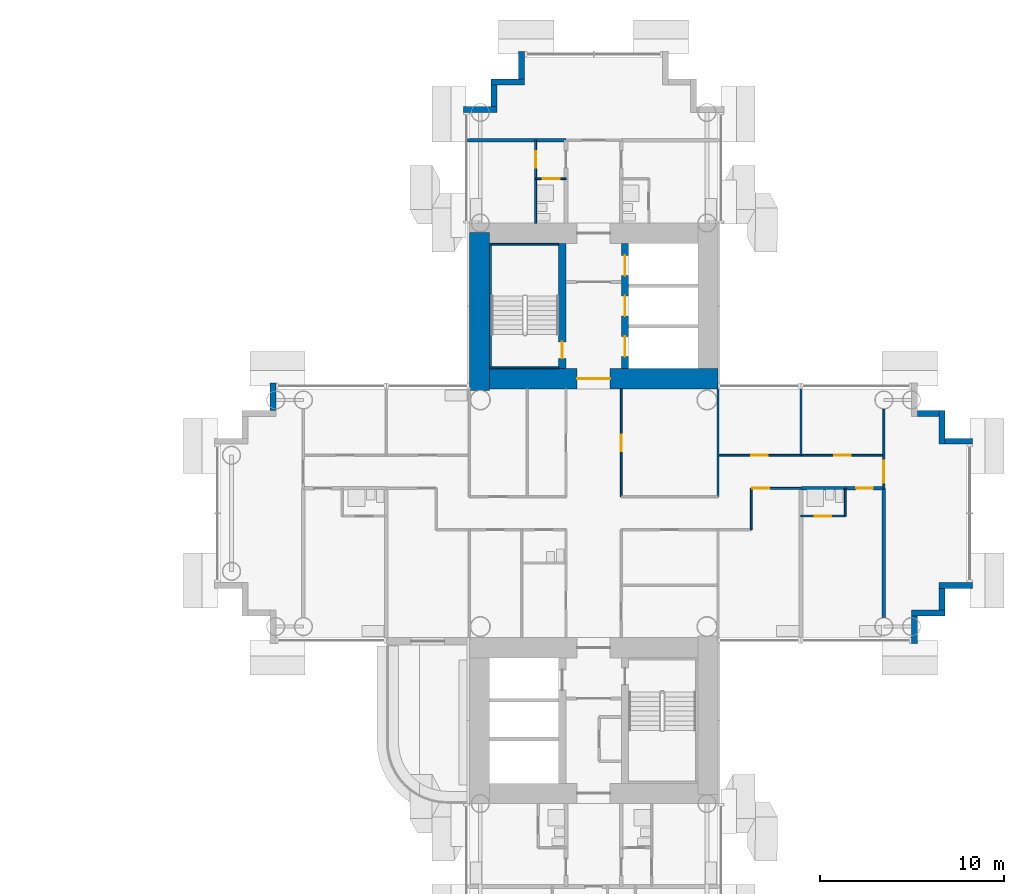
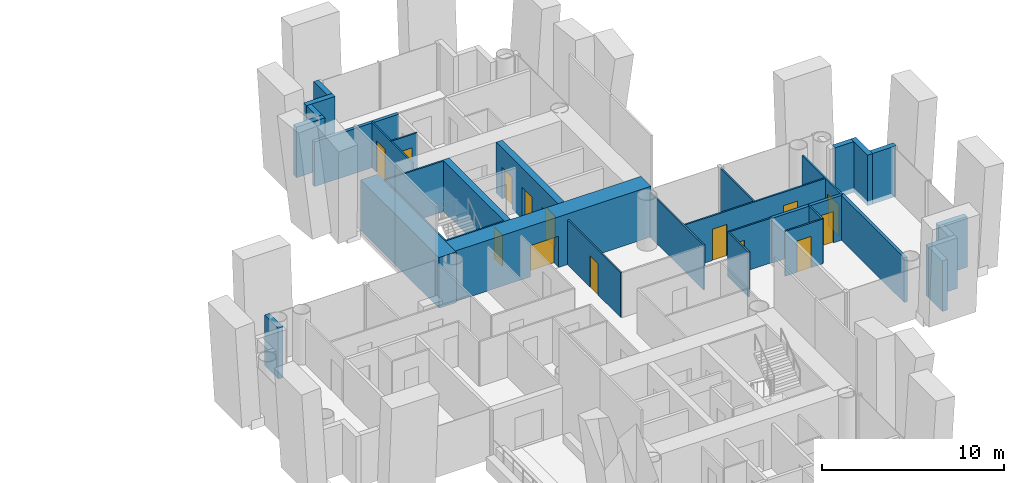
# One storey, part 15 of 23: 33 walls, 14 doors, 14 openings.
"""IFC4 building model written with IfcOpenShell, lengths in metres."""

from ifc_helpers import new_model, si_unit, direction, frame, frame_2d, origin, place, context, subcontext, project, spatial, rectangle, extrude, material, layer, layer_set, type_object, element, fill, save


model = new_model("IFC4")

# Units and contexts
model_context = context("Model", 3, precision=1e-05, world=origin(), true_north=direction((0.0, 1.0)))
body_context = subcontext(model_context, "Body", "Model", "MODEL_VIEW")
ifc_project = project(units=[si_unit("LENGTHUNIT", "METRE"), si_unit("AREAUNIT", "SQUARE_METRE"), si_unit("VOLUMEUNIT", "CUBIC_METRE"), si_unit("PLANEANGLEUNIT", "RADIAN"), si_unit("MASSUNIT", "GRAM", prefix="KILO")], contexts=[model_context])

# Site, building, storey
site_placement = place(None, origin())
site = spatial("IfcSite", under=ifc_project, at=site_placement, CompositionType="ELEMENT")
building_placement = place(site_placement, origin())
building = spatial("IfcBuilding", under=site, at=building_placement, Name="Ipe Terrace Towers", CompositionType="ELEMENT")
storey_placement = place(building_placement, frame((0.0, 0.0, 51.699951171875)))
storey = spatial("IfcBuildingStorey", under=building, at=storey_placement, Name="L13", CompositionType="ELEMENT", Elevation=51.699951171875)

# Walls
ifc_material_1 = material(Name="Concrete C40/50 with buff precast cladding", Category="concrete")
ifc_layer_1 = layer(ifc_material_1, 0.320068359375)
ifc_layer_set_1 = layer_set([ifc_layer_1], Name="BUFF CLADDING WALL 320")
wall_type_1 = type_object("IfcWallType", Name="BUFF CLADDING WALL 320", PredefinedType="STANDARD", material=ifc_layer_set_1)
wall_1_placement = place(storey_placement, frame((53.409912109375, -7.070068359375, -0.300048828125), z_axis=(0.0, 0.0, 1.0), x_axis=(0.0, 1.0, 0.0)))
element("IfcWall", 1, at=wall_1_placement, inside=storey, type_object=wall_type_1, Name="T2-W-L13-08a wall", PredefinedType="STANDARD", context=body_context, shape_type="SweptSolid", body=[
    extrude(rectangle(XDim=1.5, YDim=0.320068359375, at=frame_2d((0.75, 0.0))), origin(), (0.0, 0.0, 1.0), 3.400146484375),
])
wall_2_placement = place(storey_placement, frame((53.25, -5.409912109375, -0.300048828125), z_axis=(0.0, 0.0, 1.0), x_axis=(1.0, 0.0, 0.0)))
element("IfcWall", 2, at=wall_2_placement, inside=storey, type_object=wall_type_1, Name="T2-W-L13-09a wall", PredefinedType="STANDARD", context=body_context, shape_type="SweptSolid", body=[
    extrude(rectangle(XDim=1.820068359375, YDim=0.320068359375, at=frame_2d((0.91015625, 0.0))), origin(), (0.0, 0.0, 1.0), 3.400146484375),
])
wall_3_placement = place(storey_placement, frame((54.909912109375, -5.25, -0.300048828125), z_axis=(0.0, 0.0, 1.0), x_axis=(0.0, 1.0, 0.0)))
element("IfcWall", 3, at=wall_3_placement, inside=storey, type_object=wall_type_1, Name="T2-W-L13-10a wall", PredefinedType="STANDARD", context=body_context, shape_type="SweptSolid", body=[
    extrude(rectangle(XDim=1.179931640625, YDim=0.320068359375, at=frame_2d((0.58984375, 0.0))), origin(), (0.0, 0.0, 1.0), 3.400146484375),
])
wall_4_placement = place(storey_placement, frame((54.75, -3.909912109375, -0.300048828125), z_axis=(0.0, 0.0, 1.0), x_axis=(1.0, 0.0, 0.0)))
element("IfcWall", 4, at=wall_4_placement, inside=storey, type_object=wall_type_1, Name="T2-W-L13-11a wall", PredefinedType="STANDARD", context=body_context, shape_type="SweptSolid", body=[
    extrude(rectangle(XDim=1.820068359375, YDim=0.320068359375, at=frame_2d((0.91015625, 0.0))), origin(), (0.0, 0.0, 1.0), 3.400146484375),
])
wall_5_placement = place(storey_placement, frame((56.570068359375, 3.909912109375, -0.300048828125), z_axis=(0.0, 0.0, 1.0), x_axis=(-1.0, 0.0, 0.0)))
element("IfcWall", 5, at=wall_5_placement, inside=storey, type_object=wall_type_1, Name="T2-W-L13-13a wall", PredefinedType="STANDARD", context=body_context, shape_type="SweptSolid", body=[
    extrude(rectangle(XDim=1.5, YDim=0.320068359375, at=frame_2d((0.75, 0.0))), origin(), (0.0, 0.0, 1.0), 3.400146484375),
])
wall_6_placement = place(storey_placement, frame((54.909912109375, 3.75, -0.300048828125), z_axis=(0.0, 0.0, 1.0), x_axis=(0.0, 1.0, 0.0)))
element("IfcWall", 6, at=wall_6_placement, inside=storey, type_object=wall_type_1, Name="T2-W-L13-14a wall", PredefinedType="STANDARD", context=body_context, shape_type="SweptSolid", body=[
    extrude(rectangle(XDim=1.820068359375, YDim=0.320068359375, at=frame_2d((0.91015625, 0.0))), origin(), (0.0, 0.0, 1.0), 3.400146484375),
])
wall_7_placement = place(storey_placement, frame((54.75, 5.409912109375, -0.300048828125), z_axis=(0.0, 0.0, 1.0), x_axis=(-1.0, 0.0, 0.0)))
element("IfcWall", 7, at=wall_7_placement, inside=storey, type_object=wall_type_1, Name="T2-W-L13-15a wall", PredefinedType="STANDARD", context=body_context, shape_type="SweptSolid", body=[
    extrude(rectangle(XDim=1.179931640625, YDim=0.320068359375, at=frame_2d((0.58984375, 0.0))), origin(), (0.0, 0.0, 1.0), 3.400146484375),
])
wall_8_placement = place(storey_placement, frame((32.090087890625, 25.070068359375, -0.300048828125), z_axis=(0.0, 0.0, 1.0), x_axis=(0.0, -1.0, 0.0)))
element("IfcWall", 8, at=wall_8_placement, inside=storey, type_object=wall_type_1, Name="T2-W-L13-26a wall", PredefinedType="STANDARD", context=body_context, shape_type="SweptSolid", body=[
    extrude(rectangle(XDim=1.5, YDim=0.320068359375, at=frame_2d((0.75, 0.0))), origin(), (0.0, 0.0, 1.0), 3.400146484375),
])
wall_9_placement = place(storey_placement, frame((32.25, 23.409912109375, -0.300048828125), z_axis=(0.0, 0.0, 1.0), x_axis=(-1.0, 0.0, 0.0)))
element("IfcWall", 9, at=wall_9_placement, inside=storey, type_object=wall_type_1, Name="T2-W-L13-27a wall", PredefinedType="STANDARD", context=body_context, shape_type="SweptSolid", body=[
    extrude(rectangle(XDim=1.820068359375, YDim=0.320068359375, at=frame_2d((0.91015625, 0.0))), origin(), (0.0, 0.0, 1.0), 3.400146484375),
])
wall_10_placement = place(storey_placement, frame((30.590087890625, 23.25, -0.300048828125), z_axis=(0.0, 0.0, 1.0), x_axis=(0.0, -1.0, 0.0)))
element("IfcWall", 10, at=wall_10_placement, inside=storey, type_object=wall_type_1, Name="T2-W-L13-28a wall", PredefinedType="STANDARD", context=body_context, shape_type="SweptSolid", body=[
    extrude(rectangle(XDim=1.179931640625, YDim=0.320068359375, at=frame_2d((0.58984375, 0.0))), origin(), (0.0, 0.0, 1.0), 3.400146484375),
])
wall_11_placement = place(storey_placement, frame((30.75, 21.909912109375, -0.300048828125), z_axis=(0.0, 0.0, 1.0), x_axis=(-1.0, 0.0, 0.0)))
element("IfcWall", 11, at=wall_11_placement, inside=storey, type_object=wall_type_1, Name="T2-W-L13-29a wall", PredefinedType="STANDARD", context=body_context, shape_type="SweptSolid", body=[
    extrude(rectangle(XDim=1.820068359375, YDim=0.320068359375, at=frame_2d((0.91015625, 0.0))), origin(), (0.0, 0.0, 1.0), 3.400146484375),
])
wall_12_placement = place(storey_placement, frame((18.590087890625, 7.070068359375, -0.300048828125), z_axis=(0.0, 0.0, 1.0), x_axis=(0.0, -1.0, 0.0)))
element("IfcWall", 12, at=wall_12_placement, inside=storey, type_object=wall_type_1, Name="T2-W-L13-34a wall", PredefinedType="STANDARD", context=body_context, shape_type="SweptSolid", body=[
    extrude(rectangle(XDim=1.5, YDim=0.320068359375, at=frame_2d((0.75, 0.0))), origin(), (0.0, 0.0, 1.0), 3.400146484375),
])

# Wall, opening, door
ifc_material_2 = material(Name="Gypsum board partition", Category="plasterboard")
ifc_layer_2 = layer(ifc_material_2, 0.10009765625)
ifc_layer_set_2 = layer_set([ifc_layer_2], Name="Gypsum board partition 100 mm")
wall_type_2 = type_object("IfcWallType", Name="Gypsum board partition 100 mm", PredefinedType="PARTITIONING", material=ifc_layer_set_2)
wall_13_placement = place(storey_placement, frame((49.64990234375, -0.14990234375, 0.0), z_axis=(0.0, 0.0, 1.0), x_axis=(-1.0, 0.0, 0.0)))
wall_13 = element("IfcWall", 13, at=wall_13_placement, inside=storey, type_object=wall_type_2, Name="Gypsum board partition T2 L13 W09", PredefinedType="PARTITIONING", context=body_context, shape_type="SweptSolid", body=[
    extrude(rectangle(XDim=2.39990234375, YDim=0.10009765625, at=frame_2d((1.199951171875, 0.0))), origin(), (0.0, 0.0, 1.0), 3.0),
])
opening_1_placement = place(wall_13_placement, frame((0.75, 0.0, 0.0)))
opening_1 = element("IfcOpeningElement", 14, at=opening_1_placement, cuts=wall_13, Name="Opening T2-Z1C-19", PredefinedType="OPENING", context=body_context, shape_type="SweptSolid", body=[
    extrude(rectangle(XDim=0.89990234375, YDim=2.10009765625, at=frame_2d((0.449951171875, 1.050048828125))), frame((0.0, 0.06005859375, 0.0), z_axis=(0.0, -1.0, 0.0), x_axis=(1.0, 0.0, 0.0)), (0.0, 0.0, 1.0), 0.1201171875),
])
ifc_material_3 = material(Name="Timber door leaf", Category="wood")
door_type_1 = type_object("IfcDoorType", Name="Bathroom door 900 x 2100", OperationType="NOTDEFINED", PredefinedType="DOOR", material=ifc_material_3)
door_1_placement = place(opening_1_placement, origin())
door_1 = element("IfcDoor", 15, at=door_1_placement, inside=storey, type_object=door_type_1, Name="Bathroom door T2-Z1C-19", OperationType="SINGLE_SWING_RIGHT", OverallHeight=2.10009765625, OverallWidth=0.89990234375, PredefinedType="DOOR", context=body_context, shape_type="SweptSolid", body=[
    extrude(rectangle(XDim=0.89990234375, YDim=2.10009765625, at=frame_2d((0.449951171875, 1.050048828125))), frame((0.0, 0.02490234375, 0.0), z_axis=(0.0, -1.0, 0.0), x_axis=(1.0, 0.0, 0.0)), (0.0, 0.0, 1.0), 0.050048828125),
])
fill(opening_1, door_1)

wall_14_placement = place(storey_placement, frame((47.25, 1.35009765625, 0.0), z_axis=(0.0, 0.0, 1.0), x_axis=(-1.0, 0.0, 0.0)))
wall_14 = element("IfcWall", 16, at=wall_14_placement, inside=storey, type_object=wall_type_2, Name="Gypsum board partition T2 L13 W13", PredefinedType="PARTITIONING", context=body_context, shape_type="SweptSolid", body=[
    extrude(rectangle(XDim=2.699951171875, YDim=0.10009765625, at=frame_2d((1.35009765625, 0.0))), origin(), (0.0, 0.0, 1.0), 3.0),
])
opening_2_placement = place(wall_14_placement, frame((1.72998046875, 0.0, 0.0)))
opening_2 = element("IfcOpeningElement", 17, at=opening_2_placement, cuts=wall_14, Name="Opening T2-Z1C-17", PredefinedType="OPENING", context=body_context, shape_type="SweptSolid", body=[
    extrude(rectangle(XDim=0.89990234375, YDim=2.10009765625, at=frame_2d((0.449951171875, 1.050048828125))), frame((0.0, 0.06005859375, 0.0), z_axis=(0.0, -1.0, 0.0), x_axis=(1.0, 0.0, 0.0)), (0.0, 0.0, 1.0), 0.1201171875),
])
ifc_material_4 = material(Name="Timber door leaf", Category="wood")
door_type_2 = type_object("IfcDoorType", Name="Lounge door 900 x 2100", OperationType="NOTDEFINED", PredefinedType="DOOR", material=ifc_material_4)
door_2_placement = place(opening_2_placement, origin())
door_2 = element("IfcDoor", 18, at=door_2_placement, inside=storey, type_object=door_type_2, Name="Lounge door T2-Z1C-17", OperationType="SINGLE_SWING_LEFT", OverallHeight=2.10009765625, OverallWidth=0.89990234375, PredefinedType="DOOR", context=body_context, shape_type="SweptSolid", body=[
    extrude(rectangle(XDim=0.89990234375, YDim=2.10009765625, at=frame_2d((0.449951171875, 1.050048828125))), frame((0.0, 0.02490234375, 0.0), z_axis=(0.0, -1.0, 0.0), x_axis=(1.0, 0.0, 0.0)), (0.0, 0.0, 1.0), 0.050048828125),
])
fill(opening_2, door_2)

# Wall, openings, doors
wall_15_placement = place(storey_placement, frame((51.75, 3.14990234375, 0.0), z_axis=(0.0, 0.0, 1.0), x_axis=(-1.0, 0.0, 0.0)))
wall_15 = element("IfcWall", 19, at=wall_15_placement, inside=storey, type_object=wall_type_2, Name="Gypsum board partition T2 L13 W17", PredefinedType="PARTITIONING", context=body_context, shape_type="SweptSolid", body=[
    extrude(rectangle(XDim=9.0, YDim=0.10009765625, at=frame_2d((4.5, 0.0))), origin(), (0.0, 0.0, 1.0), 3.0),
])
opening_3_placement = place(wall_15_placement, frame((6.300048828125, 0.0, 0.0)))
opening_3 = element("IfcOpeningElement", 20, at=opening_3_placement, cuts=wall_15, Name="Opening T2-Z1C-15", PredefinedType="OPENING", context=body_context, shape_type="SweptSolid", body=[
    extrude(rectangle(XDim=0.89990234375, YDim=2.10009765625, at=frame_2d((0.449951171875, 1.050048828125))), frame((0.0, 0.06005859375, 0.0), z_axis=(0.0, -1.0, 0.0), x_axis=(1.0, 0.0, 0.0)), (0.0, 0.0, 1.0), 0.1201171875),
])
opening_4_placement = place(wall_15_placement, frame((1.800048828125, 0.0, 0.0)))
opening_4 = element("IfcOpeningElement", 21, at=opening_4_placement, cuts=wall_15, Name="Opening T2-Z1C-16", PredefinedType="OPENING", context=body_context, shape_type="SweptSolid", body=[
    extrude(rectangle(XDim=0.89990234375, YDim=2.10009765625, at=frame_2d((0.449951171875, 1.050048828125))), frame((0.0, 0.06005859375, 0.0), z_axis=(0.0, -1.0, 0.0), x_axis=(1.0, 0.0, 0.0)), (0.0, 0.0, 1.0), 0.1201171875),
])
door_3_placement = place(opening_3_placement, origin())
door_3 = element("IfcDoor", 22, at=door_3_placement, inside=storey, type_object=door_type_2, Name="Lounge door T2-Z1C-15", OperationType="SINGLE_SWING_RIGHT", OverallHeight=2.10009765625, OverallWidth=0.89990234375, PredefinedType="DOOR", context=body_context, shape_type="SweptSolid", body=[
    extrude(rectangle(XDim=0.89990234375, YDim=2.10009765625, at=frame_2d((0.449951171875, 1.050048828125))), frame((0.0, 0.02490234375, 0.0), z_axis=(0.0, -1.0, 0.0), x_axis=(1.0, 0.0, 0.0)), (0.0, 0.0, 1.0), 0.050048828125),
])
fill(opening_3, door_3)
door_4_placement = place(opening_4_placement, origin())
door_4 = element("IfcDoor", 23, at=door_4_placement, inside=storey, type_object=door_type_2, Name="Lounge door T2-Z1C-16", OperationType="SINGLE_SWING_LEFT", OverallHeight=2.10009765625, OverallWidth=0.89990234375, PredefinedType="DOOR", context=body_context, shape_type="SweptSolid", body=[
    extrude(rectangle(XDim=0.89990234375, YDim=2.10009765625, at=frame_2d((0.449951171875, 1.050048828125))), frame((0.0, 0.02490234375, 0.0), z_axis=(0.0, -1.0, 0.0), x_axis=(1.0, 0.0, 0.0)), (0.0, 0.0, 1.0), 0.050048828125),
])
fill(opening_4, door_4)

# Wall, opening, door
wall_16_placement = place(storey_placement, frame((34.5, 18.14990234375, 0.0), z_axis=(0.0, 0.0, 1.0), x_axis=(-1.0, 0.0, 0.0)))
wall_16 = element("IfcWall", 24, at=wall_16_placement, inside=storey, type_object=wall_type_2, Name="Gypsum board partition T2 L13 W20", PredefinedType="PARTITIONING", context=body_context, shape_type="SweptSolid", body=[
    extrude(rectangle(XDim=1.64990234375, YDim=0.10009765625, at=frame_2d((0.824951171875, 0.0))), origin(), (0.0, 0.0, 1.0), 3.0),
])
opening_5_placement = place(wall_16_placement, frame((0.35009765625, 0.0, 0.0)))
opening_5 = element("IfcOpeningElement", 25, at=opening_5_placement, cuts=wall_16, Name="Opening T2-Z1C-23", PredefinedType="OPENING", context=body_context, shape_type="SweptSolid", body=[
    extrude(rectangle(XDim=0.89990234375, YDim=2.10009765625, at=frame_2d((0.449951171875, 1.050048828125))), frame((0.0, 0.06005859375, 0.0), z_axis=(0.0, -1.0, 0.0), x_axis=(1.0, 0.0, 0.0)), (0.0, 0.0, 1.0), 0.1201171875),
])
door_5_placement = place(opening_5_placement, origin())
door_5 = element("IfcDoor", 26, at=door_5_placement, inside=storey, type_object=door_type_1, Name="Bathroom door T2-Z1C-23", OperationType="SINGLE_SWING_RIGHT", OverallHeight=2.10009765625, OverallWidth=0.89990234375, PredefinedType="DOOR", context=body_context, shape_type="SweptSolid", body=[
    extrude(rectangle(XDim=0.89990234375, YDim=2.10009765625, at=frame_2d((0.449951171875, 1.050048828125))), frame((0.0, 0.02490234375, 0.0), z_axis=(0.0, -1.0, 0.0), x_axis=(1.0, 0.0, 0.0)), (0.0, 0.0, 1.0), 0.050048828125),
])
fill(opening_5, door_5)

wall_17_placement = place(storey_placement, frame((51.75, 1.35009765625, 0.0), z_axis=(0.0, 0.0, 1.0), x_axis=(0.0, 1.0, 0.0)))
wall_17 = element("IfcWall", 27, at=wall_17_placement, inside=storey, type_object=wall_type_2, Name="Gypsum board partition T2 L13 W24", PredefinedType="PARTITIONING", context=body_context, shape_type="SweptSolid", body=[
    extrude(rectangle(XDim=4.2998046875, YDim=0.10009765625, at=frame_2d((2.14990234375, 0.0))), origin(), (0.0, 0.0, 1.0), 3.0),
])
opening_6_placement = place(wall_17_placement, frame((0.300048828125, 0.0, 0.0)))
opening_6 = element("IfcOpeningElement", 28, at=opening_6_placement, cuts=wall_17, Name="Opening T2-Z1C-20", PredefinedType="OPENING", context=body_context, shape_type="SweptSolid", body=[
    extrude(rectangle(XDim=1.199951171875, YDim=2.10009765625, at=frame_2d((0.60009765625, 1.050048828125))), frame((0.0, 0.06005859375, 0.0), z_axis=(0.0, -1.0, 0.0), x_axis=(1.0, 0.0, 0.0)), (0.0, 0.0, 1.0), 0.1201171875),
])
ifc_material_5 = material(Name="Timber door leaf", Category="wood")
door_type_3 = type_object("IfcDoorType", Name="Lounge door 1200 x 2100", OperationType="NOTDEFINED", PredefinedType="DOOR", material=ifc_material_5)
door_6_placement = place(opening_6_placement, origin())
door_6 = element("IfcDoor", 29, at=door_6_placement, inside=storey, type_object=door_type_3, Name="Lounge door T2-Z1C-20", OperationType="SINGLE_SWING_LEFT", OverallHeight=2.10009765625, OverallWidth=1.199951171875, PredefinedType="DOOR", context=body_context, shape_type="SweptSolid", body=[
    extrude(rectangle(XDim=1.199951171875, YDim=2.10009765625, at=frame_2d((0.60009765625, 1.050048828125))), frame((0.0, 0.02490234375, 0.0), z_axis=(0.0, -1.0, 0.0), x_axis=(1.0, 0.0, 0.0)), (0.0, 0.0, 1.0), 0.050048828125),
])
fill(opening_6, door_6)

# Walls
wall_18_placement = place(storey_placement, frame((49.64990234375, -0.14990234375, 0.0), z_axis=(0.0, 0.0, 1.0), x_axis=(0.0, 1.0, 0.0)))
element("IfcWall", 30, at=wall_18_placement, inside=storey, type_object=wall_type_2, Name="Gypsum board partition T2 L13 W26", PredefinedType="PARTITIONING", context=body_context, shape_type="SweptSolid", body=[
    extrude(rectangle(XDim=1.5, YDim=0.10009765625, at=frame_2d((0.75, 0.0))), origin(), (0.0, 0.0, 1.0), 3.0),
])
wall_19_placement = place(storey_placement, frame((47.25, 3.14990234375, 0.0), z_axis=(0.0, 0.0, 1.0), x_axis=(0.0, 1.0, 0.0)))
element("IfcWall", 31, at=wall_19_placement, inside=storey, type_object=wall_type_2, Name="Gypsum board partition T2 L13 W27", PredefinedType="PARTITIONING", context=body_context, shape_type="SweptSolid", body=[
    extrude(rectangle(XDim=3.7001953125, YDim=0.10009765625, at=frame_2d((1.85009765625, 0.0))), origin(), (0.0, 0.0, 1.0), 3.0),
])
wall_20_placement = place(storey_placement, frame((44.550048828125, -0.89990234375, 0.0), z_axis=(0.0, 0.0, 1.0), x_axis=(0.0, 1.0, 0.0)))
element("IfcWall", 32, at=wall_20_placement, inside=storey, type_object=wall_type_2, Name="Gypsum board partition T2 L13 W29", PredefinedType="PARTITIONING", context=body_context, shape_type="SweptSolid", body=[
    extrude(rectangle(XDim=2.25, YDim=0.10009765625, at=frame_2d((1.125, 0.0))), origin(), (0.0, 0.0, 1.0), 3.0),
])
wall_21_placement = place(storey_placement, frame((42.75, 0.89990234375, 0.0), z_axis=(0.0, 0.0, 1.0), x_axis=(0.0, 1.0, 0.0)))
element("IfcWall", 33, at=wall_21_placement, inside=storey, type_object=wall_type_2, Name="Gypsum board partition T2 L13 W31", PredefinedType="PARTITIONING", context=body_context, shape_type="SweptSolid", body=[
    extrude(rectangle(XDim=5.9501953125, YDim=0.10009765625, at=frame_2d((2.97509765625, 0.0))), origin(), (0.0, 0.0, 1.0), 3.0),
])

# Wall, opening, door
wall_22_placement = place(storey_placement, frame((37.5, 0.89990234375, 0.0), z_axis=(0.0, 0.0, 1.0), x_axis=(0.0, 1.0, 0.0)))
wall_22 = element("IfcWall", 34, at=wall_22_placement, inside=storey, type_object=wall_type_2, Name="Gypsum board partition T2 L13 W36", PredefinedType="PARTITIONING", context=body_context, shape_type="SweptSolid", body=[
    extrude(rectangle(XDim=5.85009765625, YDim=0.10009765625, at=frame_2d((2.925048828125, 0.0))), origin(), (0.0, 0.0, 1.0), 3.0),
])
opening_7_placement = place(wall_22_placement, frame((2.47509765625, 0.0, 0.0)))
opening_7 = element("IfcOpeningElement", 35, at=opening_7_placement, cuts=wall_22, Name="Opening T2-Z1C-08", PredefinedType="OPENING", context=body_context, shape_type="SweptSolid", body=[
    extrude(rectangle(XDim=0.89990234375, YDim=2.10009765625, at=frame_2d((0.449951171875, 1.050048828125))), frame((0.0, 0.06005859375, 0.0), z_axis=(0.0, -1.0, 0.0), x_axis=(1.0, 0.0, 0.0)), (0.0, 0.0, 1.0), 0.1201171875),
])
door_7_placement = place(opening_7_placement, origin())
door_7 = element("IfcDoor", 36, at=door_7_placement, inside=storey, type_object=door_type_2, Name="Lounge door T2-Z1C-08", OperationType="SINGLE_SWING_RIGHT", OverallHeight=2.10009765625, OverallWidth=0.89990234375, PredefinedType="DOOR", context=body_context, shape_type="SweptSolid", body=[
    extrude(rectangle(XDim=0.89990234375, YDim=2.10009765625, at=frame_2d((0.449951171875, 1.050048828125))), frame((0.0, 0.02490234375, 0.0), z_axis=(0.0, -1.0, 0.0), x_axis=(1.0, 0.0, 0.0)), (0.0, 0.0, 1.0), 0.050048828125),
])
fill(opening_7, door_7)

wall_23_placement = place(storey_placement, frame((32.85009765625, 15.75, 0.0), z_axis=(0.0, 0.0, 1.0), x_axis=(0.0, 1.0, 0.0)))
wall_23 = element("IfcWall", 37, at=wall_23_placement, inside=storey, type_object=wall_type_2, Name="Gypsum board partition T2 L13 W46", PredefinedType="PARTITIONING", context=body_context, shape_type="SweptSolid", body=[
    extrude(rectangle(XDim=4.5, YDim=0.10009765625, at=frame_2d((2.25, 0.0))), origin(), (0.0, 0.0, 1.0), 3.0),
])
opening_8_placement = place(wall_23_placement, frame((3.0, 0.0, 0.0)))
opening_8 = element("IfcOpeningElement", 38, at=opening_8_placement, cuts=wall_23, Name="Opening T2-Z1C-22", PredefinedType="OPENING", context=body_context, shape_type="SweptSolid", body=[
    extrude(rectangle(XDim=0.89990234375, YDim=2.10009765625, at=frame_2d((0.449951171875, 1.050048828125))), frame((0.0, 0.06005859375, 0.0), z_axis=(0.0, -1.0, 0.0), x_axis=(1.0, 0.0, 0.0)), (0.0, 0.0, 1.0), 0.1201171875),
])
ifc_material_6 = material(Name="Timber door leaf", Category="wood")
door_type_4 = type_object("IfcDoorType", Name="Bedroom door 900 x 2100", OperationType="NOTDEFINED", PredefinedType="DOOR", material=ifc_material_6)
door_8_placement = place(opening_8_placement, origin())
door_8 = element("IfcDoor", 39, at=door_8_placement, inside=storey, type_object=door_type_4, Name="Bedroom door T2-Z1C-22", OperationType="SINGLE_SWING_LEFT", OverallHeight=2.10009765625, OverallWidth=0.89990234375, PredefinedType="DOOR", context=body_context, shape_type="SweptSolid", body=[
    extrude(rectangle(XDim=0.89990234375, YDim=2.10009765625, at=frame_2d((0.449951171875, 1.050048828125))), frame((0.0, 0.02490234375, 0.0), z_axis=(0.0, -1.0, 0.0), x_axis=(1.0, 0.0, 0.0)), (0.0, 0.0, 1.0), 0.050048828125),
])
fill(opening_8, door_8)

ifc_material_7 = material(Name="Gypsum board party wall", Category="plasterboard")
ifc_layer_3 = layer(ifc_material_7, 0.199951171875)
ifc_layer_set_3 = layer_set([ifc_layer_3], Name="Gypsum board party wall 200 mm")
wall_type_3 = type_object("IfcWallType", Name="Gypsum board party wall 200 mm", PredefinedType="SOLIDWALL", material=ifc_layer_set_3)
wall_24_placement = place(storey_placement, frame((51.75, 1.35009765625, 0.0), z_axis=(0.0, 0.0, 1.0), x_axis=(-1.0, 0.0, 0.0)))
wall_24 = element("IfcWall", 40, at=wall_24_placement, inside=storey, type_object=wall_type_3, Name="Gypsum board party wall T2 L13 W15", PredefinedType="SOLIDWALL", context=body_context, shape_type="SweptSolid", body=[
    extrude(rectangle(XDim=4.5, YDim=0.199951171875, at=frame_2d((2.25, 0.0))), origin(), (0.0, 0.0, 1.0), 3.0),
])
opening_9_placement = place(wall_24_placement, frame((0.60009765625, 0.0, 0.0)))
opening_9 = element("IfcOpeningElement", 41, at=opening_9_placement, cuts=wall_24, Name="Opening T2-Z1C-18", PredefinedType="OPENING", context=body_context, shape_type="SweptSolid", body=[
    extrude(rectangle(XDim=0.89990234375, YDim=2.10009765625, at=frame_2d((0.449951171875, 1.050048828125))), frame((0.0, 0.10986328125, 0.0), z_axis=(0.0, -1.0, 0.0), x_axis=(1.0, 0.0, 0.0)), (0.0, 0.0, 1.0), 0.219970703125),
])
ifc_material_8 = material(Name="Fire-rated timber door leaf", Category="wood")
door_type_5 = type_object("IfcDoorType", Name="Flat entrance door 900 x 2100 FD30S", OperationType="NOTDEFINED", PredefinedType="DOOR", material=ifc_material_8)
door_9_placement = place(opening_9_placement, origin())
door_9 = element("IfcDoor", 42, at=door_9_placement, inside=storey, type_object=door_type_5, Name="Flat entrance door T2-Z1C-18", OperationType="SINGLE_SWING_RIGHT", OverallHeight=2.10009765625, OverallWidth=0.89990234375, PredefinedType="DOOR", context=body_context, shape_type="SweptSolid", body=[
    extrude(rectangle(XDim=0.89990234375, YDim=2.10009765625, at=frame_2d((0.449951171875, 1.050048828125))), frame((0.0, 0.02490234375, 0.0), z_axis=(0.0, -1.0, 0.0), x_axis=(1.0, 0.0, 0.0)), (0.0, 0.0, 1.0), 0.050048828125),
])
fill(opening_9, door_9)

# Walls
wall_25_placement = place(storey_placement, frame((34.5, 20.25, 0.0), z_axis=(0.0, 0.0, 1.0), x_axis=(-1.0, 0.0, 0.0)))
element("IfcWall", 43, at=wall_25_placement, inside=storey, type_object=wall_type_3, Name="Gypsum board party wall T2 L13 W23", PredefinedType="SOLIDWALL", context=body_context, shape_type="SweptSolid", body=[
    extrude(rectangle(XDim=5.35009765625, YDim=0.199951171875, at=frame_2d((2.675048828125, 0.0))), origin(), (0.0, 0.0, 1.0), 3.0),
])
wall_26_placement = place(storey_placement, frame((51.75, -5.64990234375, 0.0), z_axis=(0.0, 0.0, 1.0), x_axis=(0.0, 1.0, 0.0)))
element("IfcWall", 44, at=wall_26_placement, inside=storey, type_object=wall_type_3, Name="Gypsum board party wall T2 L13 W25", PredefinedType="SOLIDWALL", context=body_context, shape_type="SweptSolid", body=[
    extrude(rectangle(XDim=7.0, YDim=0.199951171875, at=frame_2d((3.5, 0.0))), origin(), (0.0, 0.0, 1.0), 3.0),
])
ifc_material_9 = material(Name="Concrete C60/75", Category="concrete")
ifc_layer_4 = layer(ifc_material_9, 0.10009765625)
ifc_layer_set_4 = layer_set([ifc_layer_4], Name="RW100 CORE INFILL WALL 100 C60-75")
wall_type_4 = type_object("IfcWallType", Name="RW100 CORE INFILL WALL 100 C60-75", PredefinedType="SHEAR", material=ifc_layer_set_4)
wall_27_placement = place(storey_placement, frame((34.10009765625, 14.60009765625, 0.0), z_axis=(0.0, 0.0, 1.0), x_axis=(-1.0, 0.0, 0.0)))
element("IfcWall", 45, at=wall_27_placement, inside=storey, type_object=wall_type_4, Name="Core infill wall T2-C1-far", PredefinedType="SHEAR", context=body_context, shape_type="SweptSolid", body=[
    extrude(rectangle(XDim=3.75, YDim=0.10009765625, at=frame_2d((1.875, 0.0))), origin(), (0.0, 0.0, 1.0), 3.400146484375),
])
wall_28_placement = place(storey_placement, frame((30.39990234375, 7.949951171875, 0.0), z_axis=(0.0, 0.0, 1.0), x_axis=(0.0, 1.0, 0.0)))
element("IfcWall", 46, at=wall_28_placement, inside=storey, type_object=wall_type_4, Name="Core infill wall T2-C1-back", PredefinedType="SHEAR", context=body_context, shape_type="SweptSolid", body=[
    extrude(rectangle(XDim=6.60009765625, YDim=0.10009765625, at=frame_2d((3.300048828125, 0.0))), origin(), (0.0, 0.0, 1.0), 3.400146484375),
])
wall_29_placement = place(storey_placement, frame((34.10009765625, 7.89990234375, 0.0), z_axis=(0.0, 0.0, 1.0), x_axis=(-1.0, 0.0, 0.0)))
element("IfcWall", 47, at=wall_29_placement, inside=storey, type_object=wall_type_4, Name="Core infill wall T2-C1-near", PredefinedType="SHEAR", context=body_context, shape_type="SweptSolid", body=[
    extrude(rectangle(XDim=3.75, YDim=0.10009765625, at=frame_2d((1.875, 0.0))), origin(), (0.0, 0.0, 1.0), 3.400146484375),
])

# Wall, opening, door
ifc_material_10 = material(Name="Concrete C60/75", Category="concrete")
ifc_layer_5 = layer(ifc_material_10, 1.10009765625)
ifc_layer_set_5 = layer_set([ifc_layer_5], Name="RW1100 CORE WALL 1100 C60-75")
wall_type_5 = type_object("IfcWallType", Name="RW1100 CORE WALL 1100 C60-75", PredefinedType="SHEAR", material=ifc_layer_set_5)
wall_30_placement = place(storey_placement, frame((30.35009765625, 7.300048828125, 0.0), z_axis=(0.0, 0.0, 1.0), x_axis=(1.0, 0.0, 0.0)))
wall_30 = element("IfcWall", 48, at=wall_30_placement, inside=storey, type_object=wall_type_5, Name="Core wall T2-C1-Z1-W01", PredefinedType="SHEAR", context=body_context, shape_type="SweptSolid", body=[
    extrude(rectangle(XDim=12.39990234375, YDim=1.10009765625, at=frame_2d((6.199951171875, 0.0))), origin(), (0.0, 0.0, 1.0), 3.400146484375),
])
opening_10_placement = place(wall_30_placement, frame((4.75, 0.0, 0.0)))
opening_10 = element("IfcOpeningElement", 49, at=opening_10_placement, cuts=wall_30, Name="Opening T2C1-ND", PredefinedType="OPENING", context=body_context, shape_type="SweptSolid", body=[
    extrude(rectangle(XDim=1.800048828125, YDim=2.10009765625, at=frame_2d((0.89990234375, 1.050048828125))), frame((0.0, 0.56005859375, 0.0), z_axis=(0.0, -1.0, 0.0), x_axis=(1.0, 0.0, 0.0)), (0.0, 0.0, 1.0), 1.1201171875),
])
ifc_material_11 = material(Name="Fire-rated timber door leaf", Category="wood")
door_type_6 = type_object("IfcDoorType", Name="Fire door 1800 x 2100 FD30S", OperationType="NOTDEFINED", PredefinedType="DOOR", material=ifc_material_11)
door_10_placement = place(opening_10_placement, origin())
door_10 = element("IfcDoor", 50, at=door_10_placement, inside=storey, type_object=door_type_6, Name="Fire door T2C1-ND", OperationType="SINGLE_SWING_LEFT", OverallHeight=2.10009765625, OverallWidth=1.800048828125, PredefinedType="DOOR", context=body_context, shape_type="SweptSolid", body=[
    extrude(rectangle(XDim=1.800048828125, YDim=2.10009765625, at=frame_2d((0.89990234375, 1.050048828125))), frame((0.0, 0.02490234375, 0.0), z_axis=(0.0, -1.0, 0.0), x_axis=(1.0, 0.0, 0.0)), (0.0, 0.0, 1.0), 0.050048828125),
])
fill(opening_10, door_10)

# Wall
wall_31_placement = place(storey_placement, frame((29.800048828125, 15.248046875, 0.0), z_axis=(0.0, 0.0, 1.0), x_axis=(0.0, -1.0, 0.0)))
element("IfcWall", 51, at=wall_31_placement, inside=storey, type_object=wall_type_5, Name="Core wall T2-C1-Z1-W04", PredefinedType="SHEAR", context=body_context, shape_type="SweptSolid", body=[
    extrude(rectangle(XDim=8.595947265625, YDim=1.10009765625, at=frame_2d((4.2978515625, 0.0))), origin(), (0.0, 0.0, 1.0), 3.400146484375),
])

# Wall, opening, door
ifc_material_12 = material(Name="Concrete C60/75", Category="concrete")
ifc_layer_6 = layer(ifc_material_12, 0.39990234375)
ifc_layer_set_6 = layer_set([ifc_layer_6], Name="RW400 CORE SPINE WALL 400 C60-75")
wall_type_6 = type_object("IfcWallType", Name="RW400 CORE SPINE WALL 400 C60-75", PredefinedType="SHEAR", material=ifc_layer_set_6)
wall_32_placement = place(storey_placement, frame((34.300048828125, 7.85009765625, 0.0), z_axis=(0.0, 0.0, 1.0), x_axis=(0.0, 1.0, 0.0)))
wall_32 = element("IfcWall", 52, at=wall_32_placement, inside=storey, type_object=wall_type_6, Name="Core spine wall T2-C1-Z1-SW1", PredefinedType="SHEAR", context=body_context, shape_type="SweptSolid", body=[
    extrude(rectangle(XDim=6.7998046875, YDim=0.39990234375, at=frame_2d((3.39990234375, 0.0))), origin(), (0.0, 0.0, 1.0), 3.400146484375),
])
opening_11_placement = place(wall_32_placement, frame((0.550048828125, 0.0, 0.0)))
opening_11 = element("IfcOpeningElement", 53, at=opening_11_placement, cuts=wall_32, Name="Opening T2C1-SD", PredefinedType="OPENING", context=body_context, shape_type="SweptSolid", body=[
    extrude(rectangle(XDim=0.89990234375, YDim=2.10009765625, at=frame_2d((0.449951171875, 1.050048828125))), frame((0.0, 0.2099609375, 0.0), z_axis=(0.0, -1.0, 0.0), x_axis=(1.0, 0.0, 0.0)), (0.0, 0.0, 1.0), 0.419921875),
])
ifc_material_13 = material(Name="Fire-rated timber door leaf", Category="wood")
door_type_7 = type_object("IfcDoorType", Name="Stair door 900 x 2100 FD60", OperationType="NOTDEFINED", PredefinedType="DOOR", material=ifc_material_13)
door_11_placement = place(opening_11_placement, origin())
door_11 = element("IfcDoor", 54, at=door_11_placement, inside=storey, type_object=door_type_7, Name="Stair door T2C1-SD", OperationType="SINGLE_SWING_LEFT", OverallHeight=2.10009765625, OverallWidth=0.89990234375, PredefinedType="DOOR", context=body_context, shape_type="SweptSolid", body=[
    extrude(rectangle(XDim=0.89990234375, YDim=2.10009765625, at=frame_2d((0.449951171875, 1.050048828125))), frame((0.0, 0.02490234375, 0.0), z_axis=(0.0, -1.0, 0.0), x_axis=(1.0, 0.0, 0.0)), (0.0, 0.0, 1.0), 0.050048828125),
])
fill(opening_11, door_11)

# Wall, openings, doors
wall_33_placement = place(storey_placement, frame((37.699951171875, 7.85009765625, 0.0), z_axis=(0.0, 0.0, 1.0), x_axis=(0.0, 1.0, 0.0)))
wall_33 = element("IfcWall", 55, at=wall_33_placement, inside=storey, type_object=wall_type_6, Name="Core spine wall T2-C1-Z1-SW2", PredefinedType="SHEAR", context=body_context, shape_type="SweptSolid", body=[
    extrude(rectangle(XDim=6.7998046875, YDim=0.39990234375, at=frame_2d((3.39990234375, 0.0))), origin(), (0.0, 0.0, 1.0), 3.400146484375),
])
opening_12_placement = place(wall_33_placement, frame((0.64990234375, 0.0, 0.0)))
opening_12 = element("IfcOpeningElement", 56, at=opening_12_placement, cuts=wall_33, Name="Opening T2C1-LD1", PredefinedType="OPENING", context=body_context, shape_type="SweptSolid", body=[
    extrude(rectangle(XDim=1.10009765625, YDim=2.10009765625, at=frame_2d((0.550048828125, 1.050048828125))), frame((0.0, 0.2099609375, 0.0), z_axis=(0.0, -1.0, 0.0), x_axis=(1.0, 0.0, 0.0)), (0.0, 0.0, 1.0), 0.419921875),
])
opening_13_placement = place(wall_33_placement, frame((2.85009765625, 0.0, 0.0)))
opening_13 = element("IfcOpeningElement", 57, at=opening_13_placement, cuts=wall_33, Name="Opening T2C1-LD2", PredefinedType="OPENING", context=body_context, shape_type="SweptSolid", body=[
    extrude(rectangle(XDim=1.10009765625, YDim=2.10009765625, at=frame_2d((0.550048828125, 1.050048828125))), frame((0.0, 0.2099609375, 0.0), z_axis=(0.0, -1.0, 0.0), x_axis=(1.0, 0.0, 0.0)), (0.0, 0.0, 1.0), 0.419921875),
])
opening_14_placement = place(wall_33_placement, frame((5.050048828125, 0.0, 0.0)))
opening_14 = element("IfcOpeningElement", 58, at=opening_14_placement, cuts=wall_33, Name="Opening T2C1-LD3", PredefinedType="OPENING", context=body_context, shape_type="SweptSolid", body=[
    extrude(rectangle(XDim=1.10009765625, YDim=2.10009765625, at=frame_2d((0.550048828125, 1.050048828125))), frame((0.0, 0.2099609375, 0.0), z_axis=(0.0, -1.0, 0.0), x_axis=(1.0, 0.0, 0.0)), (0.0, 0.0, 1.0), 0.419921875),
])
ifc_material_14 = material(Name="Fire-rated timber door leaf", Category="wood")
door_type_8 = type_object("IfcDoorType", Name="Sliding door 1100 x 2100 FD60", OperationType="SLIDING_TO_LEFT", PredefinedType="DOOR", material=ifc_material_14)
door_12_placement = place(opening_12_placement, origin())
door_12 = element("IfcDoor", 59, at=door_12_placement, inside=storey, type_object=door_type_8, Name="Sliding door T2C1-LD1", OperationType="SLIDING_TO_LEFT", OverallHeight=2.10009765625, OverallWidth=1.10009765625, PredefinedType="DOOR", context=body_context, shape_type="SweptSolid", body=[
    extrude(rectangle(XDim=1.10009765625, YDim=2.10009765625, at=frame_2d((0.550048828125, 1.050048828125))), frame((0.0, 0.02490234375, 0.0), z_axis=(0.0, -1.0, 0.0), x_axis=(1.0, 0.0, 0.0)), (0.0, 0.0, 1.0), 0.050048828125),
])
fill(opening_12, door_12)
door_13_placement = place(opening_13_placement, origin())
door_13 = element("IfcDoor", 60, at=door_13_placement, inside=storey, type_object=door_type_8, Name="Sliding door T2C1-LD2", OperationType="SLIDING_TO_LEFT", OverallHeight=2.10009765625, OverallWidth=1.10009765625, PredefinedType="DOOR", context=body_context, shape_type="SweptSolid", body=[
    extrude(rectangle(XDim=1.10009765625, YDim=2.10009765625, at=frame_2d((0.550048828125, 1.050048828125))), frame((0.0, 0.02490234375, 0.0), z_axis=(0.0, -1.0, 0.0), x_axis=(1.0, 0.0, 0.0)), (0.0, 0.0, 1.0), 0.050048828125),
])
fill(opening_13, door_13)
door_14_placement = place(opening_14_placement, origin())
door_14 = element("IfcDoor", 61, at=door_14_placement, inside=storey, type_object=door_type_8, Name="Sliding door T2C1-LD3", OperationType="SLIDING_TO_LEFT", OverallHeight=2.10009765625, OverallWidth=1.10009765625, PredefinedType="DOOR", context=body_context, shape_type="SweptSolid", body=[
    extrude(rectangle(XDim=1.10009765625, YDim=2.10009765625, at=frame_2d((0.550048828125, 1.050048828125))), frame((0.0, 0.02490234375, 0.0), z_axis=(0.0, -1.0, 0.0), x_axis=(1.0, 0.0, 0.0)), (0.0, 0.0, 1.0), 0.050048828125),
])
fill(opening_14, door_14)

save(model, "model.ifc")
